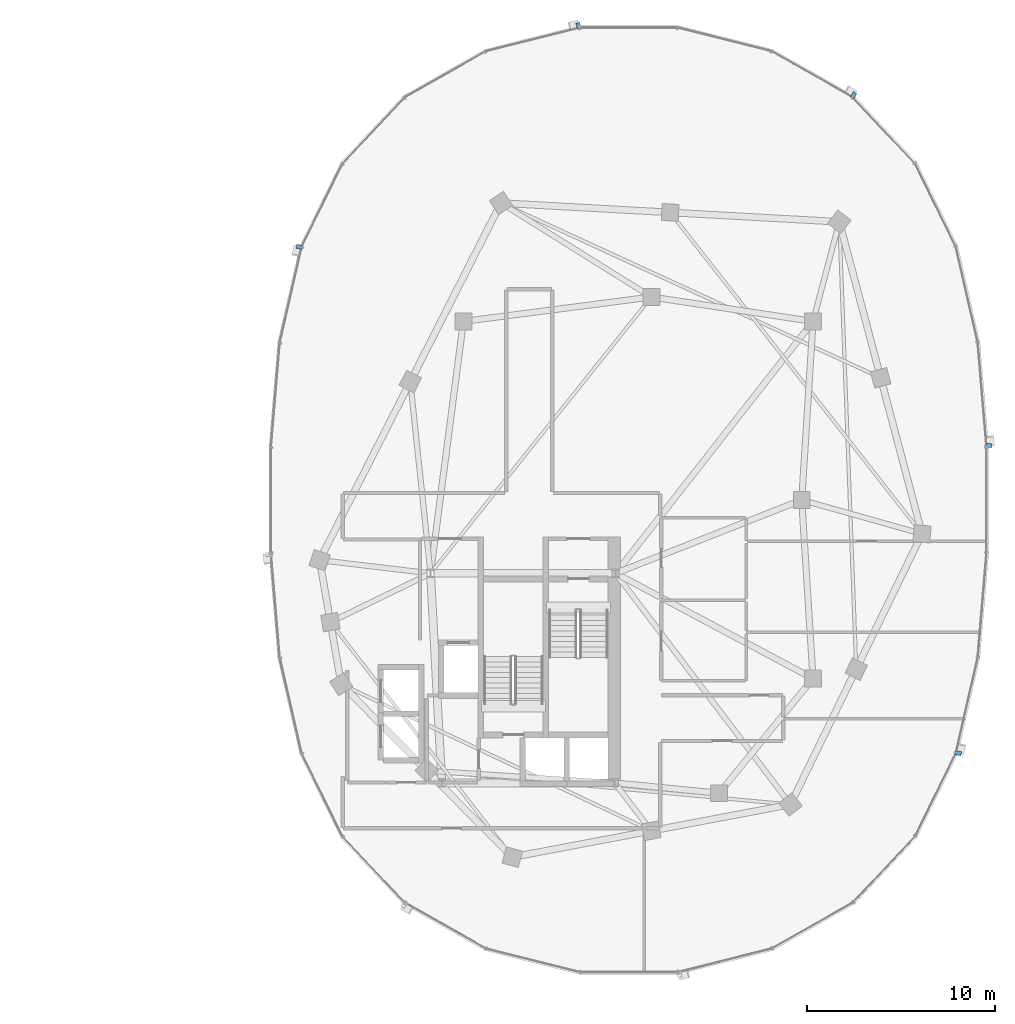
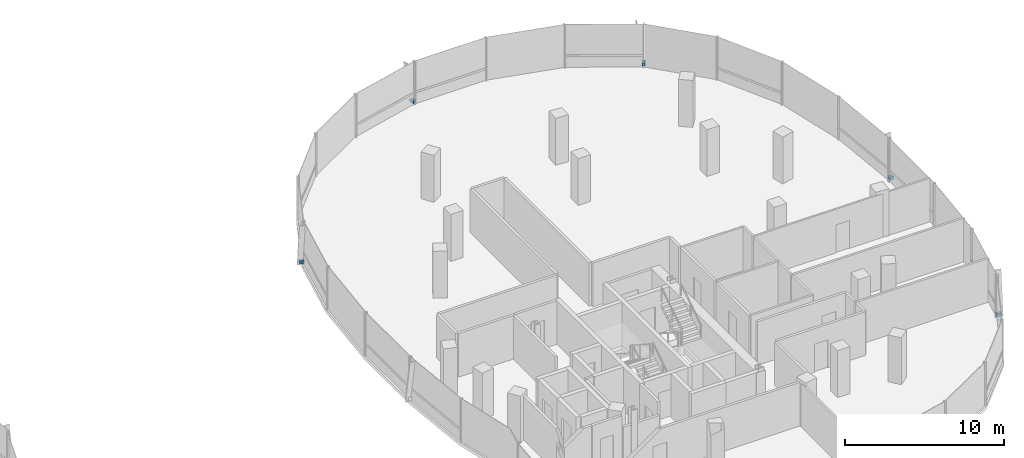
# One storey, part 20 of 25: 5 discrete accessories.
"""IFC4 building model written with IfcOpenShell, lengths in metres."""

from ifc_helpers import new_model, si_unit, direction, frame, origin, origin_2d, place, context, subcontext, project, spatial, rectangle, extrude, material, type_object, element, save


model = new_model("IFC4")

# Units and contexts
model_context = context("Model", 3, precision=1e-05, world=origin(), true_north=direction((0.0, 1.0)))
body_context = subcontext(model_context, "Body", "Model", "MODEL_VIEW")
ifc_project = project(units=[si_unit("LENGTHUNIT", "METRE"), si_unit("AREAUNIT", "SQUARE_METRE"), si_unit("VOLUMEUNIT", "CUBIC_METRE"), si_unit("PLANEANGLEUNIT", "RADIAN"), si_unit("MASSUNIT", "GRAM", prefix="KILO"), si_unit("THERMODYNAMICTEMPERATUREUNIT", "KELVIN"), si_unit("POWERUNIT", "WATT")], contexts=[model_context])

# Site, building, storey
site_placement = place(None, origin())
site = spatial("IfcSite", under=ifc_project, at=site_placement, CompositionType="ELEMENT")
building_placement = place(site_placement, origin())
building = spatial("IfcBuilding", under=site, at=building_placement, Name="Cundina Bronze Exchange", CompositionType="ELEMENT")
storey_placement = place(building_placement, frame((0.0, 0.0, 195.39990234375)))
storey = spatial("IfcBuildingStorey", under=building, at=storey_placement, Name="L51", CompositionType="ELEMENT", Elevation=195.39990234375)

# Discrete accessories
ifc_material = material(Name="Anodised Bronze Aluminium 6063-T6", Category="aluminium")
discrete_accessory_type = type_object("IfcDiscreteAccessoryType", Name="ACC-BRK-FIN", PredefinedType="BRACKET", material=ifc_material)
for number, where, z_axis, x_axis, name in (
    (1, (51.15478515625, 2.893798828125, 0.10009765625), (0.0, 0.0, 1.0), (-0.083747411454, 0.996487015006, 0.0), "L51 Fin Support Bracket 1"),
    (2, (43.961181640625, 21.539794921875, 0.10009765625), (0.0, 0.0, 1.0), (-0.869572506985, 0.493805280547, 0.0), "L51 Fin Support Bracket 5"),
    (3, (29.321044921875, 25.23779296875, 0.10009765625), (0.0, 0.0, 1.0), (-0.969731542251, -0.244173577528, 0.0), "L51 Fin Support Bracket 1"),
    (4, (14.470458984375, 13.468505859375, 0.10009765625), (0.0, 0.0, 1.0), (-0.223284141459, -0.974753400698, 0.0), "L51 Fin Support Bracket 5"),
    (5, (49.529541015625, -13.468505859375, 0.10009765625), (0.0, 0.0, 1.0), (0.223284141459, 0.974753400698, 0.0), "L51 Fin Support Bracket 5"),
):
    element("IfcDiscreteAccessory", number, at=place(storey_placement, frame(where, z_axis=z_axis, x_axis=x_axis)), inside=storey, type_object=discrete_accessory_type, Name=name, PredefinedType="BRACKET", context=body_context, shape_type="SweptSolid", body=[
        extrude(rectangle(XDim=0.219970703125, YDim=0.320068359375, at=origin_2d()), origin(), (0.0, 0.0, 1.0), 0.239990234375),
    ])

save(model, "model.ifc")
